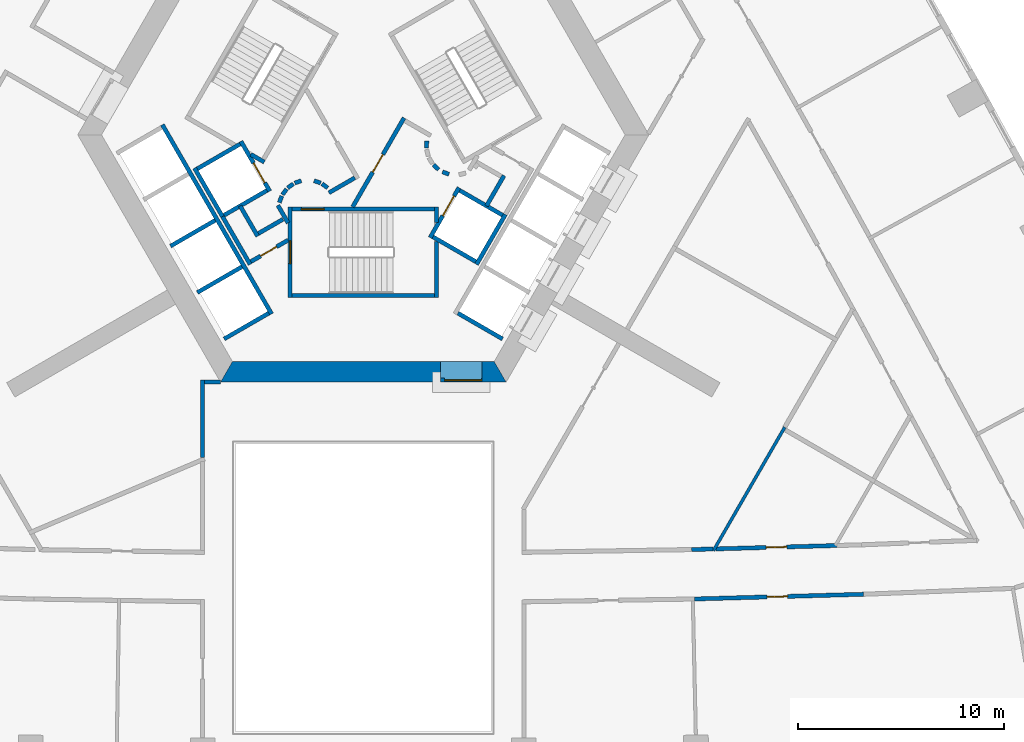
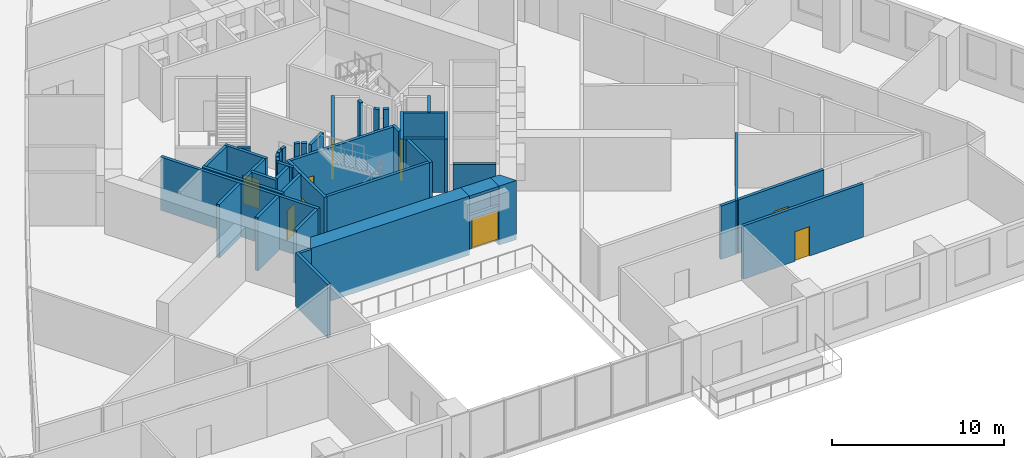
# One storey, part 6 of 15: 46 walls, 9 doors, 9 openings.
"""IFC4 building model written with IfcOpenShell, lengths in metres."""

import ifcopenshell
import ifcopenshell.guid

model = None  # the IFC model being written
_history = None  # IfcOwnerHistory: only IFC2X3 demands one
_inside = {}  # id of a spatial element -> (the spatial element, [elements in it])
_under = {}  # id of a project, library or spatial element -> (it, [spatial elements below it])
_declared = {}  # id of a project -> (the project, [libraries it declares])
_typed = {}  # id of a type object -> (the type object, [elements of that type])
_made_of = {}  # id of a material, layer set ... -> (it, [elements and type objects made of it])


def new_model(schema):
    """Start an empty IFC model of exactly this schema.

    Asked for "IFC4X3", IfcOpenShell would pick the latest addendum, in which some entities
    have other attributes; the version numbers below select the first issue.
    IFC2X3 requires an IfcOwnerHistory on every rooted entity: one is made here for all.
    """
    global model, _history
    if schema == "IFC4X3":
        model = ifcopenshell.file(schema_version=(4, 3, 0, 0))
    else:
        model = ifcopenshell.file(schema=schema)
    _inside.clear()
    _under.clear()
    _declared.clear()
    _typed.clear()
    _made_of.clear()
    _history = None
    if model.schema == "IFC2X3":
        org = make("IfcOrganization", Name="unknown")
        user = make(
            "IfcPersonAndOrganization",
            ThePerson=make("IfcPerson", FamilyName="unknown"),
            TheOrganization=org,
        )
        app = make(
            "IfcApplication",
            ApplicationDeveloper=org,
            Version="unknown",
            ApplicationFullName="unknown",
            ApplicationIdentifier="unknown",
        )
        _history = make(
            "IfcOwnerHistory",
            OwningUser=user,
            OwningApplication=app,
            ChangeAction="ADDED",
            CreationDate=0,
        )
    return model


def make(cls, **values):
    """One entity of the class cls with the attributes given. An attribute that is None is left unset."""
    return model.create_entity(
        cls, **{name: value for name, value in values.items() if value is not None}
    )


def rooted(cls, **values):
    """An entity with a GlobalId (a new one), such as an element, a storey or a relation."""
    return make(cls, GlobalId=ifcopenshell.guid.new(), OwnerHistory=_history, **values)


def si_unit(unit_type, name, prefix=None):
    """IfcSIUnit, for example si_unit("LENGTHUNIT", "METRE", prefix="MILLI")."""
    return make("IfcSIUnit", UnitType=unit_type, Prefix=prefix, Name=name)


def assignment(units):
    """IfcUnitAssignment: the units of a project."""
    return None if units is None else make("IfcUnitAssignment", Units=units)


def point(xyz):
    """IfcCartesianPoint."""
    return None if xyz is None else make("IfcCartesianPoint", Coordinates=xyz)


def direction(xyz):
    """IfcDirection."""
    return None if xyz is None else make("IfcDirection", DirectionRatios=xyz)


def frame(location, z_axis=None, x_axis=None):
    """IfcAxis2Placement3D, a coordinate frame: its origin and axes. An axis left out is left unset."""
    return make(
        "IfcAxis2Placement3D",
        Location=point(location),
        Axis=direction(z_axis),
        RefDirection=direction(x_axis),
    )


def frame_2d(location, x_axis=None):
    """IfcAxis2Placement2D, a coordinate frame in the plane: its origin and x axis."""
    return make(
        "IfcAxis2Placement2D", Location=point(location), RefDirection=direction(x_axis)
    )


def origin():
    """The frame at (0, 0, 0) with its axes left unset."""
    return frame((0.0, 0.0, 0.0))


def place(relative_to, where):
    """IfcLocalPlacement: puts the frame where relative to a parent placement (None: the world)."""
    return make(
        "IfcLocalPlacement", PlacementRelTo=relative_to, RelativePlacement=where
    )


def context(
    kind, dimensions, precision=None, world=None, true_north=None, identifier=None
):
    """IfcGeometricRepresentationContext, for example the 3D "Model" context."""
    return make(
        "IfcGeometricRepresentationContext",
        ContextIdentifier=identifier,
        ContextType=kind,
        CoordinateSpaceDimension=dimensions,
        Precision=precision,
        WorldCoordinateSystem=world,
        TrueNorth=true_north,
    )


def subcontext(parent, identifier, kind, view, scale=None):
    """IfcGeometricRepresentationSubContext, for example "Body" below "Model"."""
    return make(
        "IfcGeometricRepresentationSubContext",
        ContextIdentifier=identifier,
        ContextType=kind,
        ParentContext=parent,
        TargetScale=scale,
        TargetView=view,
    )


def project(units=None, contexts=None):
    """IfcProject with its units and contexts."""
    return rooted(
        "IfcProject",
        Name="project",
        RepresentationContexts=contexts,
        UnitsInContext=assignment(units),
    )


def spatial(cls, under=None, at=None, **own):
    """A site, building, storey or space (cls), placed at a placement, below another one or the project."""
    s = rooted(cls, ObjectPlacement=at, **own)
    if under is not None:
        _under.setdefault(under.id(), (under, []))[1].append(s)
    return s


def polyline(points):
    """IfcPolyline through the points."""
    return make("IfcPolyline", Points=[point(p) for p in points])


def profile(cls, at=None, kind="AREA", **sizes):
    """A parametric profile (cls). Its sizes go by their IFC names, for example OverallWidth=200.0."""
    return make(cls, ProfileType=kind, Position=at, **sizes)


def rectangle(**sizes):
    """IfcRectangleProfileDef."""
    return profile("IfcRectangleProfileDef", **sizes)


def outline(outer, holes=None, kind="AREA"):
    """IfcArbitraryClosedProfileDef: a profile drawn as a closed curve; with holes, ...WithVoids."""
    if holes is None:
        return make("IfcArbitraryClosedProfileDef", ProfileType=kind, OuterCurve=outer)
    return make(
        "IfcArbitraryProfileDefWithVoids",
        ProfileType=kind,
        OuterCurve=outer,
        InnerCurves=holes,
    )


def extrude(swept, where, along, depth):
    """IfcExtrudedAreaSolid: the profile swept, set in the frame where, extruded along a direction by depth."""
    return make(
        "IfcExtrudedAreaSolid",
        SweptArea=swept,
        Position=where,
        ExtrudedDirection=direction(along),
        Depth=depth,
    )


def shape(context_of_items, identifier, shape_type, items):
    """IfcShapeRepresentation: the items that make up one representation, for example the "Body"."""
    return make(
        "IfcShapeRepresentation",
        ContextOfItems=context_of_items,
        RepresentationIdentifier=identifier,
        RepresentationType=shape_type,
        Items=items,
    )


def material(Name=None, Category=None):
    """IfcMaterial."""
    return make("IfcMaterial", Name=Name, Category=Category)


def layer(
    of_material, thickness, ventilated=None, Name=None, Category=None, Priority=None
):
    """IfcMaterialLayer: one layer of a wall or slab, of a material (None: an air gap)."""
    return make(
        "IfcMaterialLayer",
        Material=of_material,
        LayerThickness=thickness,
        IsVentilated=ventilated,
        Name=Name,
        Category=Category,
        Priority=Priority,
    )


def layer_set(layers, Name=None):
    """IfcMaterialLayerSet."""
    return make("IfcMaterialLayerSet", MaterialLayers=layers, LayerSetName=Name)


def made_of(thing, what):
    """Note that an element or type object is made of a material, layer set ...; save() writes the relation."""
    if what is not None:
        _made_of.setdefault(what.id(), (what, []))[1].append(thing)
    return thing


def type_object(cls, material=None, **own):
    """A type object (cls), such as IfcWallType, which elements share."""
    return made_of(rooted(cls, **own), material)


def element(
    cls,
    number,
    at=None,
    inside=None,
    cuts=None,
    type_object=None,
    material=None,
    context=None,
    identifier="Body",
    shape_type=None,
    held_by="IfcProductDefinitionShape",
    body=None,
    shapes=None,
    **own,
):
    """One element of the class cls, such as IfcWall. Its Tag is "e" and its number.

    at: its placement. inside: the storey or other place that contains it. cuts: it is an
    opening in that element (IfcRelVoidsElement). A single representation is given by context,
    identifier, shape_type and body (its items); several are given by shapes. held_by: the class
    of the entity that holds the representations. save() writes the other relations.
    """
    e = rooted(cls, Tag="e%d" % number, ObjectPlacement=at, **own)
    if body is not None:
        shapes = [shape(context, identifier, shape_type, body)]
    if shapes is not None:
        e.Representation = make(held_by, Representations=shapes)
    if inside is not None:
        _inside.setdefault(inside.id(), (inside, []))[1].append(e)
    if cuts is not None:
        rooted(
            "IfcRelVoidsElement", RelatingBuildingElement=cuts, RelatedOpeningElement=e
        )
    if type_object is not None:
        _typed.setdefault(type_object.id(), (type_object, []))[1].append(e)
    return made_of(e, material)


def fill(opening, filler):
    """IfcRelFillsElement: the door or window that sits in an opening."""
    return rooted(
        "IfcRelFillsElement",
        RelatingOpeningElement=opening,
        RelatedBuildingElement=filler,
    )


def aggregate(whole, parts):
    """IfcRelAggregates: a whole, such as a stair, and the parts it consists of."""
    return rooted("IfcRelAggregates", RelatingObject=whole, RelatedObjects=parts)


def save(model, path):
    """Write the relations noted so far, then the file.

    IfcRelAggregates (storeys below a building ...), IfcRelContainedInSpatialStructure (elements
    in a storey), IfcRelDefinesByType, IfcRelAssociatesMaterial and IfcRelDeclares: one each for
    every whole, place, type object, material and project.
    """
    for whole, parts in _under.values():
        aggregate(whole, parts)
    for where, things in _inside.values():
        rooted(
            "IfcRelContainedInSpatialStructure",
            RelatedElements=things,
            RelatingStructure=where,
        )
    for kind, things in _typed.values():
        rooted("IfcRelDefinesByType", RelatedObjects=things, RelatingType=kind)
    for what, things in _made_of.values():
        rooted("IfcRelAssociatesMaterial", RelatedObjects=things, RelatingMaterial=what)
    for by, libraries in _declared.values():
        rooted("IfcRelDeclares", RelatingContext=by, RelatedDefinitions=libraries)
    model.write(path)


model = new_model("IFC4")

# Units and contexts
model_context = context("Model", 3, precision=1e-05, world=origin(), true_north=direction((0.0, 1.0)))
body_context = subcontext(model_context, "Body", "Model", "MODEL_VIEW")
ifc_project = project(units=[si_unit("LENGTHUNIT", "METRE"), si_unit("AREAUNIT", "SQUARE_METRE"), si_unit("VOLUMEUNIT", "CUBIC_METRE"), si_unit("PLANEANGLEUNIT", "RADIAN"), si_unit("MASSUNIT", "GRAM", prefix="KILO")], contexts=[model_context])

# Site, building, storey
site_placement = place(None, origin())
site = spatial("IfcSite", under=ifc_project, at=site_placement, CompositionType="ELEMENT")
building_placement = place(site_placement, origin())
building = spatial("IfcBuilding", under=site, at=building_placement, Name="Entoto Arch Interchange Tower", CompositionType="ELEMENT")
storey_placement = place(building_placement, frame((0.0, 0.0, 39.199951171875)))
storey = spatial("IfcBuildingStorey", under=building, at=storey_placement, Name="L07", CompositionType="ELEMENT", Elevation=39.199951171875)

# Wall, opening, door
ifc_material_1 = material(Name="Reinforced concrete C40/50", Category="concrete")
ifc_layer_1 = layer(ifc_material_1, 0.199951171875)
ifc_layer_set_1 = layer_set([ifc_layer_1], Name="Reinforced concrete C40/50")
wall_type_1 = type_object("IfcWallType", Name="CORE GAP INFILL WALL", PredefinedType="PARTITIONING", material=ifc_layer_set_1)
wall_1_placement = place(storey_placement, frame((3.75, -9.39990234375, 0.0), z_axis=(0.0, 0.0, 1.0), x_axis=(1.0, 0.0, 0.0)))
wall_1 = element("IfcWall", 1, at=wall_1_placement, inside=storey, type_object=wall_type_1, Name="wall:L07:gap1", PredefinedType="PARTITIONING", context=body_context, shape_type="SweptSolid", body=[
    extrude(rectangle(XDim=2.0, YDim=0.199951171875, at=frame_2d((1.0, 0.0))), origin(), (0.0, 0.0, 1.0), 2.400146484375),
])
opening_1_placement = place(wall_1_placement, frame((0.18994140625, 0.0, 0.0)))
opening_1 = element("IfcOpeningElement", 2, at=opening_1_placement, cuts=wall_1, Name="Opening L07-D91", PredefinedType="OPENING", context=body_context, shape_type="SweptSolid", body=[
    extrude(rectangle(XDim=1.800048828125, YDim=2.10009765625, at=frame_2d((0.89990234375, 1.050048828125))), frame((0.0, 0.10986328125, 0.0), z_axis=(0.0, -1.0, 0.0), x_axis=(1.0, 0.0, 0.0)), (0.0, 0.0, 1.0), 0.219970703125),
])
ifc_material_2 = material(Name="Fire-rated Steel S235 door and frame", Category="steel")
door_type_1 = type_object("IfcDoorType", Name="DOOR FD-18 1800x2100", OperationType="DOUBLE_DOOR_SINGLE_SWING", PredefinedType="DOOR", material=ifc_material_2)
door_1_placement = place(opening_1_placement, origin())
door_1 = element("IfcDoor", 3, at=door_1_placement, inside=storey, type_object=door_type_1, Name="door:L07:gap1", OperationType="DOUBLE_DOOR_SINGLE_SWING", OverallHeight=2.10009765625, OverallWidth=1.800048828125, PredefinedType="DOOR", context=body_context, shape_type="SweptSolid", body=[
    extrude(rectangle(XDim=1.800048828125, YDim=2.10009765625, at=frame_2d((0.89990234375, 1.050048828125))), frame((0.0, 0.02490234375, 0.0), z_axis=(0.0, -1.0, 0.0), x_axis=(1.0, 0.0, 0.0)), (0.0, 0.0, 1.0), 0.050048828125),
])
fill(opening_1, door_1)

# Walls
ifc_material_3 = material(Name="Concrete C60/75", Category="concrete")
ifc_layer_2 = layer(ifc_material_3, 1.0)
ifc_layer_set_2 = layer_set([ifc_layer_2], Name="Concrete C60/75")
wall_type_2 = type_object("IfcWallType", Name="Core wall 1000 C60/75", PredefinedType="SHEAR", material=ifc_layer_set_2)
wall_2_placement = place(storey_placement, frame((0.0, 0.0, -0.39990234375)))
element("IfcWall", 4, at=wall_2_placement, inside=storey, type_object=wall_type_2, Name="Core wall S L07", PredefinedType="SHEAR", context=body_context, shape_type="SweptSolid", body=[
    extrude(outline(polyline([(3.75, -9.5), (3.75, -8.5), (-6.35107421875, -8.5), (-6.927978515625, -9.5), (3.75, -9.5)])), origin(), (0.0, 0.0, 1.0), 4.199951171875),
])
wall_3_placement = place(storey_placement, frame((0.0, 0.0, -0.39990234375)))
element("IfcWall", 5, at=wall_3_placement, inside=storey, type_object=wall_type_2, Name="Core wall S L07", PredefinedType="SHEAR", context=body_context, shape_type="SweptSolid", body=[
    extrude(outline(polyline([(5.75, -8.5), (5.75, -9.5), (6.927978515625, -9.5), (6.35107421875, -8.5), (5.75, -8.5)])), origin(), (0.0, 0.0, 1.0), 4.199951171875),
])
wall_4_placement = place(storey_placement, frame((0.0, 0.0, 3.60009765625)))
element("IfcWall", 6, at=wall_4_placement, inside=storey, type_object=wall_type_2, Name="Core wall lintel S L07", PredefinedType="SHEAR", context=body_context, shape_type="SweptSolid", body=[
    extrude(outline(polyline([(5.75, -9.5), (5.75, -8.5), (3.75, -8.5), (3.75, -9.5), (5.75, -9.5)])), origin(), (0.0, 0.0, 1.0), 0.199951171875),
])

# Wall, opening, door
ifc_material_4 = material(Name="Concrete C40/50", Category="concrete")
ifc_layer_3 = layer(ifc_material_4, 0.199951171875)
ifc_layer_set_3 = layer_set([ifc_layer_3], Name="Concrete C40/50")
wall_type_3 = type_object("IfcWallType", Name="LIFT SHAFT WALL 200", PredefinedType="STANDARD", material=ifc_layer_set_3)
wall_5_placement = place(storey_placement, frame((-5.93994140625, 2.18798828125, 0.0), z_axis=(0.0, 0.0, 1.0), x_axis=(0.49994636267, -0.866056369097, 0.0)))
wall_5 = element("IfcWall", 7, at=wall_5_placement, inside=storey, type_object=wall_type_3, Name="Shaft wall SW1 front", PredefinedType="STANDARD", context=body_context, shape_type="SweptSolid", body=[
    extrude(rectangle(XDim=2.800048828125, YDim=0.199951171875, at=frame_2d((1.39990234375, 0.0))), origin(), (0.0, 0.0, 1.0), 3.800048828125),
])
opening_2_placement = place(wall_5_placement, frame((1.22509765625, 0.0, 0.0)))
opening_2 = element("IfcOpeningElement", 8, at=opening_2_placement, cuts=wall_5, Name="Opening LD-FF2-L07", PredefinedType="OPENING", context=body_context, shape_type="SweptSolid", body=[
    extrude(rectangle(XDim=1.10009765625, YDim=2.10009765625, at=frame_2d((0.550048828125, 1.050048828125))), frame((0.0, 0.10986328125, 0.0), z_axis=(0.0, -1.0, 0.0), x_axis=(1.0, 0.0, 0.0)), (0.0, 0.0, 1.0), 0.219970703125),
])
ifc_material_5 = material(Name="Stainless steel 1.4301 panels", Category="steel")
door_type_2 = type_object("IfcDoorType", Name="LIFT LANDING DOOR LD1 1100x2100", OperationType="SLIDING_TO_LEFT", PredefinedType="DOOR", material=ifc_material_5)
door_2_placement = place(opening_2_placement, origin())
door_2 = element("IfcDoor", 9, at=door_2_placement, inside=storey, type_object=door_type_2, Name="Lift landing door FF2 L07", OperationType="SLIDING_TO_LEFT", OverallHeight=2.10009765625, OverallWidth=1.10009765625, PredefinedType="DOOR", context=body_context, shape_type="SweptSolid", body=[
    extrude(rectangle(XDim=1.10009765625, YDim=2.10009765625, at=frame_2d((0.550048828125, 1.050048828125))), frame((0.0, 0.02490234375, 0.0), z_axis=(0.0, -1.0, 0.0), x_axis=(1.0, 0.0, 0.0)), (0.0, 0.0, 1.0), 0.050048828125),
])
fill(opening_2, door_2)

# Walls
wall_6_placement = place(storey_placement, frame((-8.19189453125, 0.887939453125, 0.0), z_axis=(0.0, 0.0, 1.0), x_axis=(0.49994636267, -0.866056369097, 0.0)))
element("IfcWall", 10, at=wall_6_placement, inside=storey, type_object=wall_type_3, Name="Shaft wall SW1 back", PredefinedType="STANDARD", context=body_context, shape_type="SweptSolid", body=[
    extrude(rectangle(XDim=2.800048828125, YDim=0.199951171875, at=frame_2d((1.39990234375, 0.0))), origin(), (0.0, 0.0, 1.0), 3.800048828125),
])
for number, where, z_axis, x_axis, name in (
    (11, (-5.97705078125, 2.052001953125, 0.0), (0.0, 0.0, 1.0), (-0.865973769406, -0.500089422704, 0.0), "Shaft wall SW1 cross 1"),
    (12, (-4.677001953125, -0.199951171875, 0.0), (0.0, 0.0, 1.0), (-0.865973769406, -0.500089422704, 0.0), "Shaft wall SW1 cross 2"),
):
    element("IfcWall", number, at=place(storey_placement, frame(where, z_axis=z_axis, x_axis=x_axis)), inside=storey, type_object=wall_type_3, Name=name, PredefinedType="STANDARD", context=body_context, shape_type="SweptSolid", body=[
        extrude(rectangle(XDim=2.3994140625, YDim=0.199951171875, at=frame_2d((1.19970703125, 0.0))), origin(), (0.0, 0.0, 1.0), 3.800048828125),
    ])
wall_7_placement = place(storey_placement, frame((-9.7509765625, 2.989990234375, 0.0), z_axis=(0.0, 0.0, 1.0), x_axis=(0.50000090737, -0.866024879913, 0.0)))
element("IfcWall", 13, at=wall_7_placement, inside=storey, type_object=wall_type_3, Name="Shaft wall SW3 front", PredefinedType="STANDARD", context=body_context, shape_type="SweptSolid", body=[
    extrude(rectangle(XDim=10.60009765625, YDim=0.199951171875, at=frame_2d((5.300048828125, 0.0))), origin(), (0.0, 0.0, 1.0), 3.800048828125),
])
for number, where, z_axis, x_axis, name in (
    (14, (-7.18798828125, -1.64990234375, 0.0), (0.0, 0.0, 1.0), (-0.866022959057, -0.500004234368, 0.0), "Shaft wall SW3 cross 3"),
    (15, (-5.887939453125, -3.902099609375, 0.0), (0.0, 0.0, 1.0), (-0.866022959057, -0.500004234368, 0.0), "Shaft wall SW3 cross 4"),
    (16, (-4.587890625, -6.153076171875, 0.0), (0.0, 0.0, 1.0), (-0.866022959057, -0.500004234368, 0.0), "Shaft wall SW3 cross 5"),
):
    element("IfcWall", number, at=place(storey_placement, frame(where, z_axis=z_axis, x_axis=x_axis)), inside=storey, type_object=wall_type_3, Name=name, PredefinedType="STANDARD", context=body_context, shape_type="SweptSolid", body=[
        extrude(rectangle(XDim=2.5, YDim=0.199951171875, at=frame_2d((1.25, 0.0))), origin(), (0.0, 0.0, 1.0), 3.800048828125),
    ])

# Wall, opening, door
wall_8_placement = place(storey_placement, frame((3.239990234375, -2.488037109375, 0.0), z_axis=(0.0, 0.0, 1.0), x_axis=(0.49994636267, 0.866056369097, 0.0)))
wall_8 = element("IfcWall", 17, at=wall_8_placement, inside=storey, type_object=wall_type_3, Name="Shaft wall SE1 front", PredefinedType="STANDARD", context=body_context, shape_type="SweptSolid", body=[
    extrude(rectangle(XDim=2.800048828125, YDim=0.199951171875, at=frame_2d((1.39990234375, 0.0))), origin(), (0.0, 0.0, 1.0), 3.800048828125),
])
opening_3_placement = place(wall_8_placement, frame((1.22509765625, 0.0, 0.0)))
opening_3 = element("IfcOpeningElement", 18, at=opening_3_placement, cuts=wall_8, Name="Opening LD-FF1-L07", PredefinedType="OPENING", context=body_context, shape_type="SweptSolid", body=[
    extrude(rectangle(XDim=1.10009765625, YDim=2.10009765625, at=frame_2d((0.550048828125, 1.050048828125))), frame((0.0, 0.10986328125, 0.0), z_axis=(0.0, -1.0, 0.0), x_axis=(1.0, 0.0, 0.0)), (0.0, 0.0, 1.0), 0.219970703125),
])
door_3_placement = place(opening_3_placement, origin())
door_3 = element("IfcDoor", 19, at=door_3_placement, inside=storey, type_object=door_type_2, Name="Lift landing door FF1 L07", OperationType="SLIDING_TO_LEFT", OverallHeight=2.10009765625, OverallWidth=1.10009765625, PredefinedType="DOOR", context=body_context, shape_type="SweptSolid", body=[
    extrude(rectangle(XDim=1.10009765625, YDim=2.10009765625, at=frame_2d((0.550048828125, 1.050048828125))), frame((0.0, 0.02490234375, 0.0), z_axis=(0.0, -1.0, 0.0), x_axis=(1.0, 0.0, 0.0)), (0.0, 0.0, 1.0), 0.050048828125),
])
fill(opening_3, door_3)

# Walls
wall_9_placement = place(storey_placement, frame((5.491943359375, -3.7880859375, 0.0), z_axis=(0.0, 0.0, 1.0), x_axis=(0.500011755427, 0.866018616679, 0.0)))
element("IfcWall", 20, at=wall_9_placement, inside=storey, type_object=wall_type_3, Name="Shaft wall SE1 back", PredefinedType="STANDARD", context=body_context, shape_type="SweptSolid", body=[
    extrude(rectangle(XDim=2.80029296875, YDim=0.199951171875, at=frame_2d((1.400146484375, 0.0))), origin(), (0.0, 0.0, 1.0), 3.800048828125),
])
wall_10_placement = place(storey_placement, frame((3.376953125, -2.451904296875, 0.0), z_axis=(0.0, 0.0, 1.0), x_axis=(0.865955154139, -0.50012165622, 0.0)))
element("IfcWall", 21, at=wall_10_placement, inside=storey, type_object=wall_type_3, Name="Shaft wall SE1 cross 1", PredefinedType="STANDARD", context=body_context, shape_type="SweptSolid", body=[
    extrude(rectangle(XDim=2.39990234375, YDim=0.199951171875, at=frame_2d((1.199951171875, 0.0))), origin(), (0.0, 0.0, 1.0), 3.800048828125),
])
wall_11_placement = place(storey_placement, frame((4.677001953125, -0.199951171875, 0.0), z_axis=(0.0, 0.0, 1.0), x_axis=(0.865973769406, -0.500089422704, 0.0)))
element("IfcWall", 22, at=wall_11_placement, inside=storey, type_object=wall_type_3, Name="Shaft wall SE1 cross 2", PredefinedType="STANDARD", context=body_context, shape_type="SweptSolid", body=[
    extrude(rectangle(XDim=2.3994140625, YDim=0.199951171875, at=frame_2d((1.19970703125, 0.0))), origin(), (0.0, 0.0, 1.0), 3.800048828125),
])
wall_12_placement = place(storey_placement, frame((4.587890625, -6.153076171875, 0.0), z_axis=(0.0, 0.0, 1.0), x_axis=(0.866022959057, -0.500004234368, 0.0)))
element("IfcWall", 23, at=wall_12_placement, inside=storey, type_object=wall_type_3, Name="Shaft wall SE3 cross 1", PredefinedType="STANDARD", context=body_context, shape_type="SweptSolid", body=[
    extrude(rectangle(XDim=2.5, YDim=0.199951171875, at=frame_2d((1.25, 0.0))), origin(), (0.0, 0.0, 1.0), 3.800048828125),
])
ifc_material_6 = material(Name="Gypsum board partition on steel studs", Category="steel")
ifc_layer_4 = layer(ifc_material_6, 0.14990234375)
ifc_layer_set_4 = layer_set([ifc_layer_4], Name="Gypsum board partition on steel studs")
wall_type_4 = type_object("IfcWallType", Name="PARTITION 150", PredefinedType="PARTITIONING", material=ifc_layer_set_4)
wall_13_placement = place(storey_placement, frame((20.445068359375, -11.68798828125, 0.0), z_axis=(0.0, 0.0, 1.0), x_axis=(-0.500010633597, -0.866019264387, 0.0)))
element("IfcWall", 24, at=wall_13_placement, inside=storey, type_object=wall_type_4, Name="wall:L07:p114", PredefinedType="PARTITIONING", context=body_context, shape_type="SweptSolid", body=[
    extrude(rectangle(XDim=6.917724609375, YDim=0.14990234375, at=frame_2d((3.458984375, 0.0))), origin(), (0.0, 0.0, 1.0), 3.800048828125),
])
ifc_layer_5 = layer(ifc_material_6, 0.199951171875)
ifc_layer_set_5 = layer_set([ifc_layer_5], Name="Gypsum board partition on steel studs")
wall_type_5 = type_object("IfcWallType", Name="PARTITION 200", PredefinedType="PARTITIONING", material=ifc_layer_set_5)
wall_14_placement = place(storey_placement, frame((15.93310546875, -17.623046875, 0.0), z_axis=(0.0, 0.0, 1.0), x_axis=(0.999627129061, 0.027305729179, 0.0)))
element("IfcWall", 25, at=wall_14_placement, inside=storey, type_object=wall_type_5, Name="wall:L07:p015", PredefinedType="PARTITIONING", context=body_context, shape_type="SweptSolid", body=[
    extrude(rectangle(XDim=1.0283203125, YDim=0.199951171875, at=frame_2d((0.51416015625, 0.0))), origin(), (0.0, 0.0, 1.0), 3.800048828125),
])

# Wall, opening, door
wall_15_placement = place(storey_placement, frame((17.111083984375, -17.591064453125, 0.0), z_axis=(0.0, 0.0, 1.0), x_axis=(0.99960470841, 0.028114532261, 0.0)))
wall_15 = element("IfcWall", 26, at=wall_15_placement, inside=storey, type_object=wall_type_5, Name="wall:L07:p018", PredefinedType="PARTITIONING", context=body_context, shape_type="SweptSolid", body=[
    extrude(rectangle(XDim=5.870361328125, YDim=0.199951171875, at=frame_2d((2.93505859375, 0.0))), origin(), (0.0, 0.0, 1.0), 3.800048828125),
])
opening_4_placement = place(wall_15_placement, frame((2.43505859375, 0.0, 0.0)))
opening_4 = element("IfcOpeningElement", 27, at=opening_4_placement, cuts=wall_15, Name="Opening L07-D25", PredefinedType="OPENING", context=body_context, shape_type="SweptSolid", body=[
    extrude(rectangle(XDim=1.0, YDim=2.10009765625, at=frame_2d((0.5, 1.050048828125))), frame((0.0, 0.10986328125, 0.0), z_axis=(0.0, -1.0, 0.0), x_axis=(1.0, 0.0, 0.0)), (0.0, 0.0, 1.0), 0.219970703125),
])
ifc_material_7 = material(Name="Timber door leaf in Steel S235 frame", Category="steel")
door_type_3 = type_object("IfcDoorType", Name="DOOR DS-10 1000x2100", OperationType="SINGLE_SWING_LEFT", PredefinedType="DOOR", material=ifc_material_7)
door_4_placement = place(opening_4_placement, origin())
door_4 = element("IfcDoor", 28, at=door_4_placement, inside=storey, type_object=door_type_3, Name="door:L07:25", OperationType="SINGLE_SWING_LEFT", OverallHeight=2.10009765625, OverallWidth=1.0, PredefinedType="DOOR", context=body_context, shape_type="SweptSolid", body=[
    extrude(rectangle(XDim=1.0, YDim=2.10009765625, at=frame_2d((0.5, 1.050048828125))), frame((0.0, 0.02490234375, 0.0), z_axis=(0.0, -1.0, 0.0), x_axis=(1.0, 0.0, 0.0)), (0.0, 0.0, 1.0), 0.050048828125),
])
fill(opening_4, door_4)

wall_16_placement = place(storey_placement, frame((24.260986328125, -19.7919921875, 0.0), z_axis=(0.0, 0.0, 1.0), x_axis=(-0.999610256124, -0.027916587377, 0.0)))
wall_16 = element("IfcWall", 29, at=wall_16_placement, inside=storey, type_object=wall_type_5, Name="wall:L07:p037", PredefinedType="PARTITIONING", context=body_context, shape_type="SweptSolid", body=[
    extrude(rectangle(XDim=8.203125, YDim=0.199951171875, at=frame_2d((4.1015625, 0.0))), origin(), (0.0, 0.0, 1.0), 3.800048828125),
])
opening_5_placement = place(wall_16_placement, frame((3.677001953125, 0.0, 0.0)))
opening_5 = element("IfcOpeningElement", 30, at=opening_5_placement, cuts=wall_16, Name="Opening L07-D02", PredefinedType="OPENING", context=body_context, shape_type="SweptSolid", body=[
    extrude(rectangle(XDim=1.0, YDim=2.10009765625, at=frame_2d((0.5, 1.050048828125))), frame((0.0, 0.10986328125, 0.0), z_axis=(0.0, -1.0, 0.0), x_axis=(1.0, 0.0, 0.0)), (0.0, 0.0, 1.0), 0.219970703125),
])
door_5_placement = place(opening_5_placement, origin())
door_5 = element("IfcDoor", 31, at=door_5_placement, inside=storey, type_object=door_type_3, Name="door:L07:02", OperationType="SINGLE_SWING_RIGHT", OverallHeight=2.10009765625, OverallWidth=1.0, PredefinedType="DOOR", context=body_context, shape_type="SweptSolid", body=[
    extrude(rectangle(XDim=1.0, YDim=2.10009765625, at=frame_2d((0.5, 1.050048828125))), frame((0.0, 0.02490234375, 0.0), z_axis=(0.0, -1.0, 0.0), x_axis=(1.0, 0.0, 0.0)), (0.0, 0.0, 1.0), 0.050048828125),
])
fill(opening_5, door_5)

# Walls
wall_17_placement = place(storey_placement, frame((6.825927734375, 0.52197265625, 0.0), z_axis=(0.0, 0.0, 1.0), x_axis=(-0.500016722714, -0.866015748706, 0.0)))
element("IfcWall", 32, at=wall_17_placement, inside=storey, type_object=wall_type_5, Name="wall:L07:p075", PredefinedType="PARTITIONING", context=body_context, shape_type="SweptSolid", body=[
    extrude(rectangle(XDim=1.69970703125, YDim=0.199951171875, at=frame_2d((0.849853515625, 0.0))), origin(), (0.0, 0.0, 1.0), 3.800048828125),
])
wall_18_placement = place(storey_placement, frame((-3.89990234375, -1.59912109375, 0.0), z_axis=(0.0, 0.0, 1.0), x_axis=(-0.865969445389, -0.500096910261, 0.0)))
element("IfcWall", 33, at=wall_18_placement, inside=storey, type_object=wall_type_5, Name="wall:L07:p079", PredefinedType="PARTITIONING", context=body_context, shape_type="SweptSolid", body=[
    extrude(rectangle(XDim=1.373291015625, YDim=0.199951171875, at=frame_2d((0.6865234375, 0.0))), origin(), (0.0, 0.0, 1.0), 3.800048828125),
])
wall_19_placement = place(storey_placement, frame((-5.1259765625, -2.422119140625, 0.0), z_axis=(0.0, 0.0, 1.0), x_axis=(-0.500062241894, 0.865989465428, 0.0)))
element("IfcWall", 34, at=wall_19_placement, inside=storey, type_object=wall_type_5, Name="wall:L07:p080", PredefinedType="PARTITIONING", context=body_context, shape_type="SweptSolid", body=[
    extrude(rectangle(XDim=1.699951171875, YDim=0.199951171875, at=frame_2d((0.85009765625, 0.0))), origin(), (0.0, 0.0, 1.0), 3.800048828125),
])

# Wall, opening, door
wall_20_placement = place(storey_placement, frame((-3.64990234375, -2.610107421875, 0.0), z_axis=(0.0, 0.0, 1.0), x_axis=(-0.866072462134, -0.499918483688, 0.0)))
wall_20 = element("IfcWall", 35, at=wall_20_placement, inside=storey, type_object=wall_type_5, Name="wall:L07:p081", PredefinedType="PARTITIONING", context=body_context, shape_type="SweptSolid", body=[
    extrude(rectangle(XDim=2.084228515625, YDim=0.199951171875, at=frame_2d((1.0419921875, 0.0))), origin(), (0.0, 0.0, 1.0), 3.800048828125),
])
opening_6_placement = place(wall_20_placement, frame((0.64208984375, 0.0, 0.0)))
opening_6 = element("IfcOpeningElement", 36, at=opening_6_placement, cuts=wall_20, Name="Opening L07-D41", PredefinedType="OPENING", context=body_context, shape_type="SweptSolid", body=[
    extrude(rectangle(XDim=0.89990234375, YDim=2.10009765625, at=frame_2d((0.449951171875, 1.050048828125))), frame((0.0, 0.10986328125, 0.0), z_axis=(0.0, -1.0, 0.0), x_axis=(1.0, 0.0, 0.0)), (0.0, 0.0, 1.0), 0.219970703125),
])
door_type_4 = type_object("IfcDoorType", Name="DOOR DS-09 900x2100", OperationType="SINGLE_SWING_LEFT", PredefinedType="DOOR", material=ifc_material_7)
door_6_placement = place(opening_6_placement, origin())
door_6 = element("IfcDoor", 37, at=door_6_placement, inside=storey, type_object=door_type_4, Name="door:L07:41", OperationType="SINGLE_SWING_LEFT", OverallHeight=2.10009765625, OverallWidth=0.89990234375, PredefinedType="DOOR", context=body_context, shape_type="SweptSolid", body=[
    extrude(rectangle(XDim=0.89990234375, YDim=2.10009765625, at=frame_2d((0.449951171875, 1.050048828125))), frame((0.0, 0.02490234375, 0.0), z_axis=(0.0, -1.0, 0.0), x_axis=(1.0, 0.0, 0.0)), (0.0, 0.0, 1.0), 0.050048828125),
])
fill(opening_6, door_6)

# Walls
wall_21_placement = place(storey_placement, frame((-5.491943359375, -3.7880859375, 0.0), z_axis=(0.0, 0.0, 1.0), x_axis=(-0.500008949224, 0.866020236886, 0.0)))
element("IfcWall", 38, at=wall_21_placement, inside=storey, type_object=wall_type_5, Name="wall:L07:p082", PredefinedType="PARTITIONING", context=body_context, shape_type="SweptSolid", body=[
    extrude(rectangle(XDim=2.68017578125, YDim=0.199951171875, at=frame_2d((1.340087890625, 0.0))), origin(), (0.0, 0.0, 1.0), 3.800048828125),
])
wall_22_placement = place(storey_placement, frame((-4.14501953125, -0.919921875, 0.0), z_axis=(0.0, 0.0, 1.0), x_axis=(0.499743786207, -0.866173278362, 0.0)))
element("IfcWall", 39, at=wall_22_placement, inside=storey, type_object=wall_type_5, Name="wall:L07:p083", PredefinedType="PARTITIONING", context=body_context, shape_type="SweptSolid", body=[
    extrude(rectangle(XDim=0.99072265625, YDim=0.199951171875, at=frame_2d((0.495361328125, 0.0))), origin(), (0.0, 0.0, 1.0), 3.800048828125),
])

# Wall, opening, door
wall_23_placement = place(storey_placement, frame((-0.52001953125, -1.0, 0.0), z_axis=(0.0, 0.0, 1.0), x_axis=(0.50011622646, 0.865958290007, 0.0)))
wall_23 = element("IfcWall", 40, at=wall_23_placement, inside=storey, type_object=wall_type_5, Name="wall:L07:p088", PredefinedType="PARTITIONING", context=body_context, shape_type="SweptSolid", body=[
    extrude(rectangle(XDim=4.990966796875, YDim=0.199951171875, at=frame_2d((2.49560546875, 0.0))), origin(), (0.0, 0.0, 1.0), 3.800048828125),
])
opening_7_placement = place(wall_23_placement, frame((1.945068359375, 0.0, 0.0)))
opening_7 = element("IfcOpeningElement", 41, at=opening_7_placement, cuts=wall_23, Name="Opening L07-D38", PredefinedType="OPENING", context=body_context, shape_type="SweptSolid", body=[
    extrude(rectangle(XDim=1.0, YDim=2.10009765625, at=frame_2d((0.5, 1.050048828125))), frame((0.0, 0.10986328125, 0.0), z_axis=(0.0, -1.0, 0.0), x_axis=(1.0, 0.0, 0.0)), (0.0, 0.0, 1.0), 0.219970703125),
])
door_type_5 = type_object("IfcDoorType", Name="DOOR FD-10 1000x2100", OperationType="SINGLE_SWING_LEFT", PredefinedType="DOOR", material=ifc_material_2)
door_7_placement = place(opening_7_placement, origin())
door_7 = element("IfcDoor", 42, at=door_7_placement, inside=storey, type_object=door_type_5, Name="door:L07:38", OperationType="SINGLE_SWING_LEFT", OverallHeight=2.10009765625, OverallWidth=1.0, PredefinedType="DOOR", context=body_context, shape_type="SweptSolid", body=[
    extrude(rectangle(XDim=1.0, YDim=2.10009765625, at=frame_2d((0.5, 1.050048828125))), frame((0.0, 0.02490234375, 0.0), z_axis=(0.0, -1.0, 0.0), x_axis=(1.0, 0.0, 0.0)), (0.0, 0.0, 1.0), 0.050048828125),
])
fill(opening_7, door_7)

# Walls
wall_24_placement = place(storey_placement, frame((3.0791015625, 2.198974609375, 0.0), z_axis=(0.0, 0.0, 1.0), x_axis=(-0.047771483479, -0.998858290933, 0.0)))
element("IfcWall", 43, at=wall_24_placement, inside=storey, type_object=wall_type_5, Name="wall:L07:p090", PredefinedType="PARTITIONING", context=body_context, shape_type="SweptSolid", body=[
    extrude(rectangle(XDim=0.33740234375, YDim=0.199951171875, at=frame_2d((0.168701171875, 0.0))), origin(), (0.0, 0.0, 1.0), 3.800048828125),
])
wall_25_placement = place(storey_placement, frame((3.404052734375, 1.0390625, 0.0), z_axis=(0.0, 0.0, 1.0), x_axis=(0.740267097712, -0.672312891476, 0.0)))
element("IfcWall", 44, at=wall_25_placement, inside=storey, type_object=wall_type_5, Name="wall:L07:p093", PredefinedType="PARTITIONING", context=body_context, shape_type="SweptSolid", body=[
    extrude(rectangle(XDim=0.337646484375, YDim=0.199951171875, at=frame_2d((0.1689453125, 0.0))), origin(), (0.0, 0.0, 1.0), 3.800048828125),
])
wall_26_placement = place(storey_placement, frame((3.837890625, 0.701904296875, 0.0), z_axis=(0.0, 0.0, 1.0), x_axis=(0.941035081519, -0.338308993895, 0.0)))
element("IfcWall", 45, at=wall_26_placement, inside=storey, type_object=wall_type_5, Name="wall:L07:p094", PredefinedType="PARTITIONING", context=body_context, shape_type="SweptSolid", body=[
    extrude(rectangle(XDim=0.3369140625, YDim=0.199951171875, at=frame_2d((0.16845703125, 0.0))), origin(), (0.0, 0.0, 1.0), 3.800048828125),
])
wall_27_placement = place(storey_placement, frame((-0.412109375, 0.4140625, 0.0), z_axis=(0.0, 0.0, 1.0), x_axis=(-0.866017369001, -0.500013916395, 0.0)))
element("IfcWall", 46, at=wall_27_placement, inside=storey, type_object=wall_type_5, Name="wall:L07:p097", PredefinedType="PARTITIONING", context=body_context, shape_type="SweptSolid", body=[
    extrude(rectangle(XDim=1.4501953125, YDim=0.199951171875, at=frame_2d((0.72509765625, 0.0))), origin(), (0.0, 0.0, 1.0), 3.800048828125),
])
wall_28_placement = place(storey_placement, frame((-1.73095703125, -0.076904296875, 0.0), z_axis=(0.0, 0.0, 1.0), x_axis=(-0.804311165252, 0.594208338422, 0.0)))
element("IfcWall", 47, at=wall_28_placement, inside=storey, type_object=wall_type_5, Name="wall:L07:p098", PredefinedType="PARTITIONING", context=body_context, shape_type="SweptSolid", body=[
    extrude(rectangle(XDim=0.338134765625, YDim=0.199951171875, at=frame_2d((0.1689453125, 0.0))), origin(), (0.0, 0.0, 1.0), 3.800048828125),
])
wall_29_placement = place(storey_placement, frame((-2.070068359375, 0.159912109375, 0.0), z_axis=(0.0, 0.0, 1.0), x_axis=(-0.942199461132, 0.335052496547, 0.0)))
element("IfcWall", 48, at=wall_29_placement, inside=storey, type_object=wall_type_5, Name="wall:L07:p099", PredefinedType="PARTITIONING", context=body_context, shape_type="SweptSolid", body=[
    extrude(rectangle(XDim=0.33740234375, YDim=0.199951171875, at=frame_2d((0.168701171875, 0.0))), origin(), (0.0, 0.0, 1.0), 3.800048828125),
])
wall_30_placement = place(storey_placement, frame((-3.011962890625, 0.27294921875, 0.0), z_axis=(0.0, 0.0, 1.0), x_axis=(-0.942280615813, -0.334824194261, 0.0)))
element("IfcWall", 49, at=wall_30_placement, inside=storey, type_object=wall_type_5, Name="wall:L07:p100", PredefinedType="PARTITIONING", context=body_context, shape_type="SweptSolid", body=[
    extrude(rectangle(XDim=0.337646484375, YDim=0.199951171875, at=frame_2d((0.1689453125, 0.0))), origin(), (0.0, 0.0, 1.0), 3.800048828125),
])
wall_31_placement = place(storey_placement, frame((-3.39697265625, 0.1240234375, 0.0), z_axis=(0.0, 0.0, 1.0), x_axis=(-0.804311165252, -0.594208338422, 0.0)))
element("IfcWall", 50, at=wall_31_placement, inside=storey, type_object=wall_type_5, Name="wall:L07:p101", PredefinedType="PARTITIONING", context=body_context, shape_type="SweptSolid", body=[
    extrude(rectangle(XDim=0.338134765625, YDim=0.199951171875, at=frame_2d((0.1689453125, 0.0))), origin(), (0.0, 0.0, 1.0), 3.800048828125),
])
wall_32_placement = place(storey_placement, frame((-3.722900390625, -0.131103515625, 0.0), z_axis=(0.0, 0.0, 1.0), x_axis=(-0.594675113454, -0.803966112121, 0.0)))
element("IfcWall", 51, at=wall_32_placement, inside=storey, type_object=wall_type_5, Name="wall:L07:p102", PredefinedType="PARTITIONING", context=body_context, shape_type="SweptSolid", body=[
    extrude(rectangle(XDim=0.33837890625, YDim=0.199951171875, at=frame_2d((0.169189453125, 0.0))), origin(), (0.0, 0.0, 1.0), 3.800048828125),
])
wall_33_placement = place(storey_placement, frame((-3.9599609375, -0.469970703125, 0.0), z_axis=(0.0, 0.0, 1.0), x_axis=(-0.334824194261, -0.942280615813, 0.0)))
element("IfcWall", 52, at=wall_33_placement, inside=storey, type_object=wall_type_5, Name="wall:L07:p103", PredefinedType="PARTITIONING", context=body_context, shape_type="SweptSolid", body=[
    extrude(rectangle(XDim=0.337646484375, YDim=0.199951171875, at=frame_2d((0.1689453125, 0.0))), origin(), (0.0, 0.0, 1.0), 3.800048828125),
])
wall_34_placement = place(storey_placement, frame((-7.800048828125, -13.160888671875, 0.0), z_axis=(0.0, 0.0, 1.0), x_axis=(0.0, 1.0, 0.0)))
element("IfcWall", 53, at=wall_34_placement, inside=storey, type_object=wall_type_5, Name="wall:L07:p105", PredefinedType="PARTITIONING", context=body_context, shape_type="SweptSolid", body=[
    extrude(rectangle(XDim=3.761962890625, YDim=0.199951171875, at=frame_2d((1.880859375, 0.0))), origin(), (0.0, 0.0, 1.0), 3.800048828125),
])
wall_35_placement = place(storey_placement, frame((-7.699951171875, -9.4990234375, 0.0), z_axis=(0.0, 0.0, 1.0), x_axis=(1.0, 0.0, 0.0)))
element("IfcWall", 54, at=wall_35_placement, inside=storey, type_object=wall_type_5, Name="wall:L07:p106", PredefinedType="PARTITIONING", context=body_context, shape_type="SweptSolid", body=[
    extrude(rectangle(XDim=0.77099609375, YDim=0.199951171875, at=frame_2d((0.385498046875, 0.0))), origin(), (0.0, 0.0, 1.0), 3.800048828125),
])

# Wall, opening, door
ifc_layer_6 = layer(ifc_material_4, 0.199951171875)
ifc_layer_set_6 = layer_set([ifc_layer_6], Name="Concrete C40/50")
wall_type_6 = type_object("IfcWallType", Name="STAIR ENCLOSURE WALL 200", PredefinedType="STANDARD", material=ifc_layer_set_6)
wall_36_placement = place(storey_placement, frame((-3.550048828125, -1.0, 0.0), z_axis=(0.0, 0.0, 1.0), x_axis=(0.0, -1.0, 0.0)))
wall_36 = element("IfcWall", 55, at=wall_36_placement, inside=storey, type_object=wall_type_6, Name="Stair wall ST-S near", PredefinedType="STANDARD", context=body_context, shape_type="SweptSolid", body=[
    extrude(rectangle(XDim=4.39990234375, YDim=0.199951171875, at=frame_2d((2.199951171875, 0.0))), origin(), (0.0, 0.0, 1.0), 3.800048828125),
])
opening_8_placement = place(wall_36_placement, frame((1.64990234375, 0.0, 0.0)))
opening_8 = element("IfcOpeningElement", 56, at=opening_8_placement, cuts=wall_36, Name="Opening SD-ST-S-L07-E", PredefinedType="OPENING", context=body_context, shape_type="SweptSolid", body=[
    extrude(rectangle(XDim=1.10009765625, YDim=2.199951171875, at=frame_2d((0.550048828125, 1.10009765625))), frame((0.0, 0.10986328125, 0.0), z_axis=(0.0, -1.0, 0.0), x_axis=(1.0, 0.0, 0.0)), (0.0, 0.0, 1.0), 0.219970703125),
])
ifc_material_8 = material(Name="Steel S235", Category="steel")
door_type_6 = type_object("IfcDoorType", Name="STAIR DOOR SD1 1100x2200", OperationType="SINGLE_SWING_LEFT", PredefinedType="DOOR", material=ifc_material_8)
door_8_placement = place(opening_8_placement, origin())
door_8 = element("IfcDoor", 57, at=door_8_placement, inside=storey, type_object=door_type_6, Name="Stair door ST-S L07 end", OperationType="SINGLE_SWING_LEFT", OverallHeight=2.199951171875, OverallWidth=1.10009765625, PredefinedType="DOOR", context=body_context, shape_type="SweptSolid", body=[
    extrude(rectangle(XDim=1.10009765625, YDim=2.199951171875, at=frame_2d((0.550048828125, 1.10009765625))), frame((0.0, 0.02490234375, 0.0), z_axis=(0.0, -1.0, 0.0), x_axis=(1.0, 0.0, 0.0)), (0.0, 0.0, 1.0), 0.050048828125),
])
fill(opening_8, door_8)

# Walls
wall_37_placement = place(storey_placement, frame((3.550048828125, -2.6669921875, 0.0), z_axis=(0.0, 0.0, 1.0), x_axis=(0.0, -1.0, 0.0)))
element("IfcWall", 58, at=wall_37_placement, inside=storey, type_object=wall_type_6, Name="Stair wall ST-S far", PredefinedType="STANDARD", context=body_context, shape_type="SweptSolid", body=[
    extrude(rectangle(XDim=2.73291015625, YDim=0.199951171875, at=frame_2d((1.366455078125, 0.0))), origin(), (0.0, 0.0, 1.0), 3.800048828125),
])
wall_38_placement = place(storey_placement, frame((3.550048828125, -1.0, 0.0), z_axis=(0.0, 0.0, 1.0), x_axis=(0.0, -1.0, 0.0)))
element("IfcWall", 59, at=wall_38_placement, inside=storey, type_object=wall_type_6, Name="Stair wall ST-S far return", PredefinedType="STANDARD", context=body_context, shape_type="SweptSolid", body=[
    extrude(rectangle(XDim=0.7509765625, YDim=0.199951171875, at=frame_2d((0.37548828125, 0.0))), origin(), (0.0, 0.0, 1.0), 3.800048828125),
])

# Wall, opening, door
wall_39_placement = place(storey_placement, frame((-3.449951171875, -1.10009765625, 0.0), z_axis=(0.0, 0.0, 1.0), x_axis=(1.0, 0.0, 0.0)))
wall_39 = element("IfcWall", 60, at=wall_39_placement, inside=storey, type_object=wall_type_6, Name="Stair wall ST-S hall", PredefinedType="STANDARD", context=body_context, shape_type="SweptSolid", body=[
    extrude(rectangle(XDim=6.89990234375, YDim=0.199951171875, at=frame_2d((3.449951171875, 0.0))), origin(), (0.0, 0.0, 1.0), 3.800048828125),
])
opening_9_placement = place(wall_39_placement, frame((0.449951171875, 0.0, 0.0)))
opening_9 = element("IfcOpeningElement", 61, at=opening_9_placement, cuts=wall_39, Name="Opening SD-ST-S-L07", PredefinedType="OPENING", context=body_context, shape_type="SweptSolid", body=[
    extrude(rectangle(XDim=1.10009765625, YDim=2.199951171875, at=frame_2d((0.550048828125, 1.10009765625))), frame((0.0, 0.10986328125, 0.0), z_axis=(0.0, -1.0, 0.0), x_axis=(1.0, 0.0, 0.0)), (0.0, 0.0, 1.0), 0.219970703125),
])
door_9_placement = place(opening_9_placement, origin())
door_9 = element("IfcDoor", 62, at=door_9_placement, inside=storey, type_object=door_type_6, Name="Stair door ST-S L07", OperationType="SINGLE_SWING_LEFT", OverallHeight=2.199951171875, OverallWidth=1.10009765625, PredefinedType="DOOR", context=body_context, shape_type="SweptSolid", body=[
    extrude(rectangle(XDim=1.10009765625, YDim=2.199951171875, at=frame_2d((0.550048828125, 1.10009765625))), frame((0.0, 0.02490234375, 0.0), z_axis=(0.0, -1.0, 0.0), x_axis=(1.0, 0.0, 0.0)), (0.0, 0.0, 1.0), 0.050048828125),
])
fill(opening_9, door_9)

# Walls
wall_40_placement = place(storey_placement, frame((-3.449951171875, -5.300048828125, 0.0), z_axis=(0.0, 0.0, 1.0), x_axis=(1.0, 0.0, 0.0)))
element("IfcWall", 63, at=wall_40_placement, inside=storey, type_object=wall_type_6, Name="Stair wall ST-S back", PredefinedType="STANDARD", context=body_context, shape_type="SweptSolid", body=[
    extrude(rectangle(XDim=6.89990234375, YDim=0.199951171875, at=frame_2d((3.449951171875, 0.0))), origin(), (0.0, 0.0, 1.0), 3.800048828125),
])
wall_41_placement = place(storey_placement, frame((-4.805908203125, 1.176025390625, 0.0), z_axis=(0.0, 0.0, 1.0), x_axis=(-0.866558586415, 0.499075361355, 0.0)))
element("IfcWall", 64, at=wall_41_placement, inside=storey, type_object=wall_type_6, Name="Stair wall ST-NW far return", PredefinedType="STANDARD", context=body_context, shape_type="SweptSolid", body=[
    extrude(rectangle(XDim=0.75146484375, YDim=0.199951171875, at=frame_2d((0.375732421875, 0.0))), origin(), (0.0, 0.0, 1.0), 3.800048828125),
])

save(model, "model.ifc")
